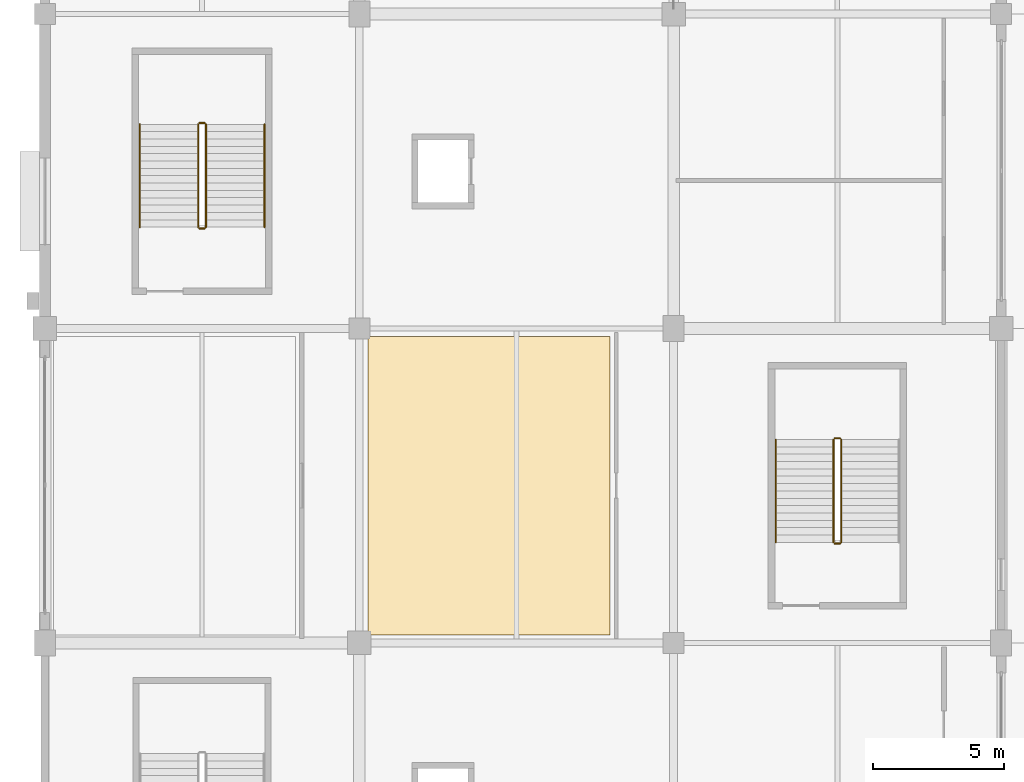
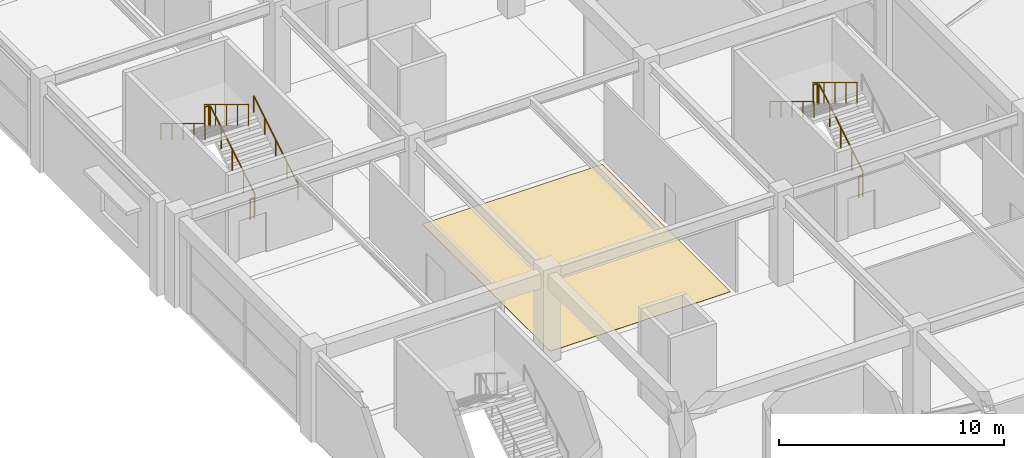
# One storey, part 94 of 116: 11 railings, 1 covering.
"""IFC4 building model written with IfcOpenShell, lengths in metres."""

from ifc_helpers import new_model, si_unit, direction, frame, origin, origin_2d, place, context, subcontext, project, spatial, polyline, circle, outline, extrude, material, layer, layer_set, type_object, element, save


model = new_model("IFC4")

# Units and contexts
model_context = context("Model", 3, precision=1e-05, world=origin(), true_north=direction((0.0, 1.0)))
body_context = subcontext(model_context, "Body", "Model", "MODEL_VIEW")
ifc_project = project(units=[si_unit("LENGTHUNIT", "METRE"), si_unit("AREAUNIT", "SQUARE_METRE"), si_unit("VOLUMEUNIT", "CUBIC_METRE"), si_unit("PLANEANGLEUNIT", "RADIAN"), si_unit("MASSUNIT", "GRAM", prefix="KILO")], contexts=[model_context])

# Site, building, storey
site_placement = place(None, origin())
site = spatial("IfcSite", under=ifc_project, at=site_placement, CompositionType="ELEMENT")
building_placement = place(site_placement, origin())
building = spatial("IfcBuilding", under=site, at=building_placement, Name="Kazenohara Klinker Stadium", CompositionType="ELEMENT")
storey_placement = place(building_placement, frame((0.0, 0.0, 10.199951171875)))
storey = spatial("IfcBuildingStorey", under=building, at=storey_placement, Name="L02", CompositionType="ELEMENT", Elevation=10.199951171875)

# Covering
ifc_material_1 = material(Name="Slip-resistant honed basalt terrazzo flooring", Category="masonry")
ifc_layer_1 = layer(ifc_material_1, 0.02001953125)
ifc_layer_set_1 = layer_set([ifc_layer_1], Name="Slip-resistant honed basalt terrazzo flooring")
covering_type = type_object("IfcCoveringType", Name="COV-FLR-01", PredefinedType="FLOORING", material=ifc_layer_set_1)
covering_placement = place(storey_placement, origin())
element("IfcCovering", 1, at=covering_placement, inside=storey, type_object=covering_type, Name="Interior floor finish FL01 Hospitality Culinary Catering Kitchen L02-0106A", PredefinedType="FLOORING", context=body_context, shape_type="SweptSolid", body=[
    extrude(outline(polyline([(12.330078125, 72.31005859375), (21.570068359375, 72.31005859375), (21.570068359375, 83.68994140625), (12.330078125, 83.68994140625), (12.330078125, 72.31005859375)])), origin(), (0.0, 0.0, 1.0), 0.02001953125),
])

# Railings
ifc_material_2 = material(Name="Brushed stainless steel 304 handrail", Category="steel")
ifc_layer_2 = layer(ifc_material_2, 0.050048828125)
ifc_layer_set_2 = layer_set([ifc_layer_2], Name="Brushed stainless steel 304 handrail")
railing_type_1 = type_object("IfcRailingType", Name="RL-HND-900", PredefinedType="HANDRAIL", material=ifc_layer_set_2)
railing_1_placement = place(storey_placement, frame((8.3798828125, 87.8701171875, 0.170166015625)))
element("IfcRailing", 2, at=railing_1_placement, inside=storey, type_object=railing_type_1, Name="L02 ST03 stair handrail 1", PredefinedType="HANDRAIL", context=body_context, shape_type="SweptSolid", body=[
    extrude(circle(Radius=0.02392578125, at=origin_2d()), frame((0.0, 0.0, 0.8759765625), z_axis=(0.0, 0.854794262968, 0.518967020143), x_axis=(-1.0, 0.0, 0.0)), (0.0, 0.0, 1.0), 4.585693359375),
    extrude(circle(Radius=0.02099609375, at=origin_2d()), origin(), (0.0, 0.0, 1.0), 0.851806640625),
    extrude(circle(Radius=0.02099609375, at=origin_2d()), frame((0.0, 0.97998046875, 0.594970703125)), (0.0, 0.0, 1.0), 0.851806640625),
    extrude(circle(Radius=0.02099609375, at=origin_2d()), frame((0.0, 1.9599609375, 1.18994140625)), (0.0, 0.0, 1.0), 0.851806640625),
    extrude(circle(Radius=0.02099609375, at=origin_2d()), frame((0.0, 2.93994140625, 1.784912109375)), (0.0, 0.0, 1.0), 0.851806640625),
    extrude(circle(Radius=0.02099609375, at=origin_2d()), frame((0.0, 3.919921875, 2.3798828125)), (0.0, 0.0, 1.0), 0.851806640625),
])
for number, where, name in (
    (3, (3.6201171875, 91.7900390625, 2.719970703125), "L02 ST03 stair handrail 2"),
    (4, (27.89990234375, 79.760009765625, 2.719970703125), "L02 ST17 stair handrail 2"),
):
    element("IfcRailing", number, at=place(storey_placement, frame(where)), inside=storey, type_object=railing_type_1, Name=name, PredefinedType="HANDRAIL", context=body_context, shape_type="SweptSolid", body=[
        extrude(circle(Radius=0.02392578125, at=origin_2d()), frame((0.0, 0.0, 0.8759765625), z_axis=(0.0, -0.854770645689, 0.519005918337), x_axis=(1.0, 0.0, 0.0)), (0.0, 0.0, 1.0), 4.5859375),
        extrude(circle(Radius=0.02099609375, at=origin_2d()), origin(), (0.0, 0.0, 1.0), 0.851806640625),
        extrude(circle(Radius=0.02099609375, at=origin_2d()), frame((0.0, -0.97998046875, 0.594970703125)), (0.0, 0.0, 1.0), 0.851806640625),
        extrude(circle(Radius=0.02099609375, at=origin_2d()), frame((0.0, -1.9599609375, 1.18994140625)), (0.0, 0.0, 1.0), 0.851806640625),
        extrude(circle(Radius=0.02099609375, at=origin_2d()), frame((0.0, -2.93994140625, 1.78515625)), (0.0, 0.0, 1.0), 0.851806640625),
        extrude(circle(Radius=0.02099609375, at=origin_2d()), frame((0.0, -3.919921875, 2.380126953125)), (0.0, 0.0, 1.0), 0.851806640625),
    ])
ifc_material_3 = material(Name="Painted steel stairwell guardrail", Category="steel")
ifc_layer_3 = layer(ifc_material_3, 0.06005859375)
ifc_layer_set_3 = layer_set([ifc_layer_3], Name="Painted steel stairwell guardrail")
railing_type_2 = type_object("IfcRailingType", Name="RL-STG-1120", PredefinedType="GUARDRAIL", material=ifc_layer_set_3)
railing_2_placement = place(storey_placement, frame((6.14990234375, 87.8701171875, 0.170166015625)))
element("IfcRailing", 5, at=railing_2_placement, inside=storey, type_object=railing_type_2, Name="L02 ST03 stair guard 1", PredefinedType="GUARDRAIL", context=body_context, shape_type="SweptSolid", body=[
    extrude(circle(Radius=0.02392578125, at=origin_2d()), frame((0.0, 0.0, 1.1259765625), z_axis=(0.0, 0.854794262968, 0.518967020143), x_axis=(-1.0, 0.0, 0.0)), (0.0, 0.0, 1.0), 4.585693359375),
    extrude(circle(Radius=0.02099609375, at=origin_2d()), origin(), (0.0, 0.0, 1.0), 1.101806640625),
    extrude(circle(Radius=0.02099609375, at=origin_2d()), frame((0.0, 0.97998046875, 0.594970703125)), (0.0, 0.0, 1.0), 1.101806640625),
    extrude(circle(Radius=0.02099609375, at=origin_2d()), frame((0.0, 1.9599609375, 1.18994140625)), (0.0, 0.0, 1.0), 1.101806640625),
    extrude(circle(Radius=0.02099609375, at=origin_2d()), frame((0.0, 2.93994140625, 1.784912109375)), (0.0, 0.0, 1.0), 1.101806640625),
    extrude(circle(Radius=0.02099609375, at=origin_2d()), frame((0.0, 3.919921875, 2.3798828125)), (0.0, 0.0, 1.0), 1.101806640625),
])
railing_3_placement = place(storey_placement, frame((6.10009765625, 91.840087890625, 2.550048828125)))
element("IfcRailing", 6, at=railing_3_placement, inside=storey, type_object=railing_type_2, Name="L02 ST03 stair guard 2", PredefinedType="GUARDRAIL", context=body_context, shape_type="SweptSolid", body=[
    extrude(circle(Radius=0.02392578125, at=origin_2d()), frame((0.0, 0.0, 1.1259765625), z_axis=(-1.0, 0.0, 0.0), x_axis=(0.0, -1.0, 0.0)), (0.0, 0.0, 1.0), 0.2001953125),
    extrude(circle(Radius=0.02099609375, at=origin_2d()), origin(), (0.0, 0.0, 1.0), 1.101806640625),
    extrude(circle(Radius=0.02099609375, at=origin_2d()), frame((-0.2001953125, 0.0, 0.0)), (0.0, 0.0, 1.0), 1.101806640625),
])
railing_4_placement = place(storey_placement, frame((5.85009765625, 91.7900390625, 2.719970703125)))
element("IfcRailing", 7, at=railing_4_placement, inside=storey, type_object=railing_type_2, Name="L02 ST03 stair guard 3", PredefinedType="GUARDRAIL", context=body_context, shape_type="SweptSolid", body=[
    extrude(circle(Radius=0.02392578125, at=origin_2d()), frame((0.0, 0.0, 1.1259765625), z_axis=(0.0, -0.854770645689, 0.519005918337), x_axis=(1.0, 0.0, 0.0)), (0.0, 0.0, 1.0), 4.5859375),
    extrude(circle(Radius=0.02099609375, at=origin_2d()), origin(), (0.0, 0.0, 1.0), 1.101806640625),
    extrude(circle(Radius=0.02099609375, at=origin_2d()), frame((0.0, -0.97998046875, 0.594970703125)), (0.0, 0.0, 1.0), 1.101806640625),
    extrude(circle(Radius=0.02099609375, at=origin_2d()), frame((0.0, -1.9599609375, 1.18994140625)), (0.0, 0.0, 1.0), 1.101806640625),
    extrude(circle(Radius=0.02099609375, at=origin_2d()), frame((0.0, -2.93994140625, 1.78515625)), (0.0, 0.0, 1.0), 1.101806640625),
    extrude(circle(Radius=0.02099609375, at=origin_2d()), frame((0.0, -3.919921875, 2.380126953125)), (0.0, 0.0, 1.0), 1.101806640625),
])
railing_5_placement = place(storey_placement, frame((6.10009765625, 87.820068359375, 0.0)))
element("IfcRailing", 8, at=railing_5_placement, inside=storey, type_object=railing_type_2, Name="L02 ST03 stair guard 4", PredefinedType="GUARDRAIL", context=body_context, shape_type="SweptSolid", body=[
    extrude(circle(Radius=0.02392578125, at=origin_2d()), frame((0.0, 0.0, 1.1259765625), z_axis=(-1.0, 0.0, 0.0), x_axis=(0.0, -1.0, 0.0)), (0.0, 0.0, 1.0), 0.2001953125),
    extrude(circle(Radius=0.02099609375, at=origin_2d()), origin(), (0.0, 0.0, 1.0), 1.101806640625),
    extrude(circle(Radius=0.02099609375, at=origin_2d()), frame((-0.2001953125, 0.0, 0.0)), (0.0, 0.0, 1.0), 1.101806640625),
])
railing_6_placement = place(storey_placement, frame((30.39990234375, 75.840087890625, 0.170166015625)))
element("IfcRailing", 9, at=railing_6_placement, inside=storey, type_object=railing_type_2, Name="L02 ST17 stair guard 1", PredefinedType="GUARDRAIL", context=body_context, shape_type="SweptSolid", body=[
    extrude(circle(Radius=0.02392578125, at=origin_2d()), frame((0.0, 0.0, 1.1259765625), z_axis=(0.0, 0.854794262968, 0.518967020143), x_axis=(-1.0, 0.0, 0.0)), (0.0, 0.0, 1.0), 4.585693359375),
    extrude(circle(Radius=0.02099609375, at=origin_2d()), origin(), (0.0, 0.0, 1.0), 1.101806640625),
    extrude(circle(Radius=0.02099609375, at=origin_2d()), frame((0.0, 0.97998046875, 0.594970703125)), (0.0, 0.0, 1.0), 1.101806640625),
    extrude(circle(Radius=0.02099609375, at=origin_2d()), frame((0.0, 1.9599609375, 1.18994140625)), (0.0, 0.0, 1.0), 1.101806640625),
    extrude(circle(Radius=0.02099609375, at=origin_2d()), frame((0.0, 2.93994140625, 1.784912109375)), (0.0, 0.0, 1.0), 1.101806640625),
    extrude(circle(Radius=0.02099609375, at=origin_2d()), frame((0.0, 3.919921875, 2.3798828125)), (0.0, 0.0, 1.0), 1.101806640625),
])
railing_7_placement = place(storey_placement, frame((30.35009765625, 79.81005859375, 2.550048828125)))
element("IfcRailing", 10, at=railing_7_placement, inside=storey, type_object=railing_type_2, Name="L02 ST17 stair guard 2", PredefinedType="GUARDRAIL", context=body_context, shape_type="SweptSolid", body=[
    extrude(circle(Radius=0.02392578125, at=origin_2d()), frame((0.0, 0.0, 1.1259765625), z_axis=(-1.0, 0.0, 0.0), x_axis=(0.0, -1.0, 0.0)), (0.0, 0.0, 1.0), 0.2001953125),
    extrude(circle(Radius=0.02099609375, at=origin_2d()), origin(), (0.0, 0.0, 1.0), 1.101806640625),
    extrude(circle(Radius=0.02099609375, at=origin_2d()), frame((-0.2001953125, 0.0, 0.0)), (0.0, 0.0, 1.0), 1.101806640625),
])
railing_8_placement = place(storey_placement, frame((30.10009765625, 79.760009765625, 2.719970703125)))
element("IfcRailing", 11, at=railing_8_placement, inside=storey, type_object=railing_type_2, Name="L02 ST17 stair guard 3", PredefinedType="GUARDRAIL", context=body_context, shape_type="SweptSolid", body=[
    extrude(circle(Radius=0.02392578125, at=origin_2d()), frame((0.0, 0.0, 1.1259765625), z_axis=(0.0, -0.854770645689, 0.519005918337), x_axis=(1.0, 0.0, 0.0)), (0.0, 0.0, 1.0), 4.5859375),
    extrude(circle(Radius=0.02099609375, at=origin_2d()), origin(), (0.0, 0.0, 1.0), 1.101806640625),
    extrude(circle(Radius=0.02099609375, at=origin_2d()), frame((0.0, -0.97998046875, 0.594970703125)), (0.0, 0.0, 1.0), 1.101806640625),
    extrude(circle(Radius=0.02099609375, at=origin_2d()), frame((0.0, -1.9599609375, 1.18994140625)), (0.0, 0.0, 1.0), 1.101806640625),
    extrude(circle(Radius=0.02099609375, at=origin_2d()), frame((0.0, -2.93994140625, 1.78515625)), (0.0, 0.0, 1.0), 1.101806640625),
    extrude(circle(Radius=0.02099609375, at=origin_2d()), frame((0.0, -3.919921875, 2.380126953125)), (0.0, 0.0, 1.0), 1.101806640625),
])
railing_9_placement = place(storey_placement, frame((30.35009765625, 75.7900390625, 0.0)))
element("IfcRailing", 12, at=railing_9_placement, inside=storey, type_object=railing_type_2, Name="L02 ST17 stair guard 4", PredefinedType="GUARDRAIL", context=body_context, shape_type="SweptSolid", body=[
    extrude(circle(Radius=0.02392578125, at=origin_2d()), frame((0.0, 0.0, 1.1259765625), z_axis=(-1.0, 0.0, 0.0), x_axis=(0.0, -1.0, 0.0)), (0.0, 0.0, 1.0), 0.2001953125),
    extrude(circle(Radius=0.02099609375, at=origin_2d()), origin(), (0.0, 0.0, 1.0), 1.101806640625),
    extrude(circle(Radius=0.02099609375, at=origin_2d()), frame((-0.2001953125, 0.0, 0.0)), (0.0, 0.0, 1.0), 1.101806640625),
])

save(model, "model.ifc")
